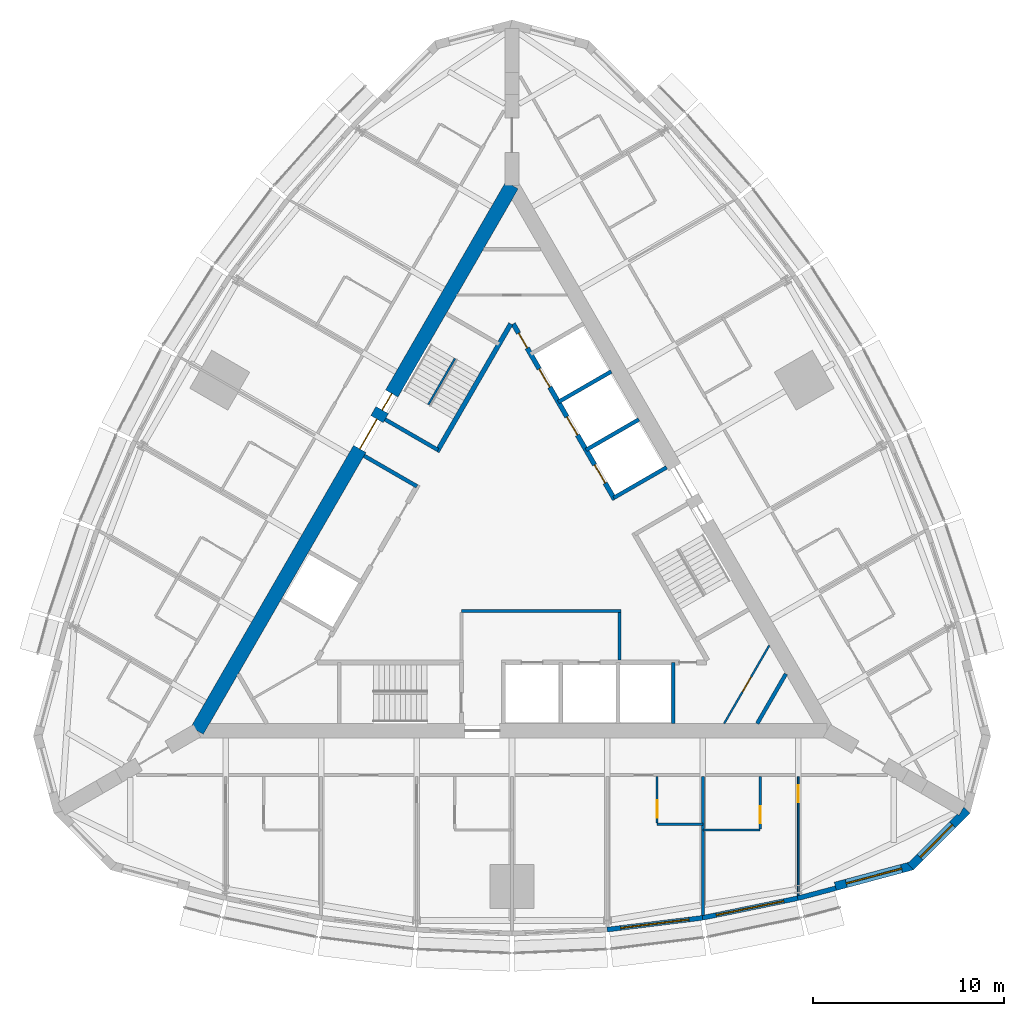
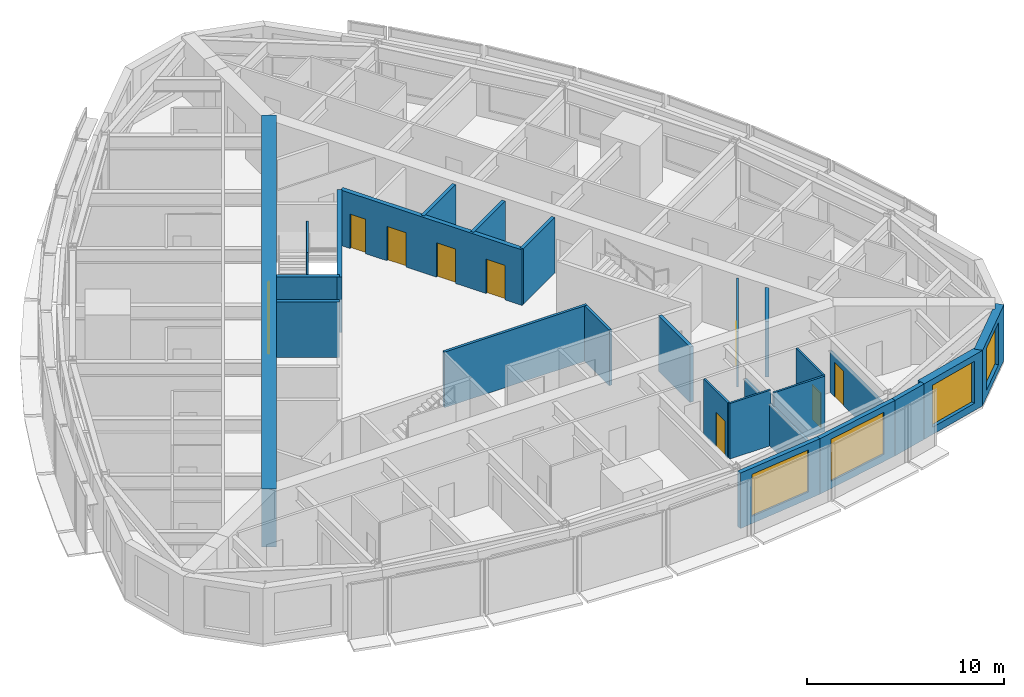
# One storey, part 11 of 15: 25 walls, 10 doors, 4 windows, 14 openings.
"""IFC4 building model written with IfcOpenShell, lengths in metres."""

from ifc_helpers import new_model, si_unit, direction, frame, frame_2d, origin, place, context, subcontext, project, spatial, polyline, rectangle, outline, extrude, material, layer, layer_set, type_object, element, fill, save


model = new_model("IFC4")

# Units and contexts
model_context = context("Model", 3, precision=1e-05, world=origin(), true_north=direction((0.0, 1.0)))
body_context = subcontext(model_context, "Body", "Model", "MODEL_VIEW")
ifc_project = project(units=[si_unit("LENGTHUNIT", "METRE"), si_unit("AREAUNIT", "SQUARE_METRE"), si_unit("VOLUMEUNIT", "CUBIC_METRE"), si_unit("PLANEANGLEUNIT", "RADIAN"), si_unit("MASSUNIT", "GRAM", prefix="KILO")], contexts=[model_context])

# Site, building, storey
site_placement = place(None, origin())
site = spatial("IfcSite", under=ifc_project, at=site_placement, CompositionType="ELEMENT")
building_placement = place(site_placement, origin())
building = spatial("IfcBuilding", under=site, at=building_placement, Name="Trikona Tower", CompositionType="ELEMENT")
storey_placement = place(building_placement, frame((0.0, 0.0, 215.300048828125)))
storey = spatial("IfcBuildingStorey", under=building, at=storey_placement, Name="L57", CompositionType="ELEMENT", Elevation=215.300048828125)

# Wall
ifc_material_1 = material(Name="Metal stud and cement board", Category="gypsum")
ifc_layer_1 = layer(ifc_material_1, 0.1201171875)
ifc_layer_set_1 = layer_set([ifc_layer_1], Name="Bathroom wall 120")
wall_type_1 = type_object("IfcWallType", Name="Bathroom wall 120", PredefinedType="PLUMBINGWALL", material=ifc_layer_set_1)
wall_1_placement = place(storey_placement, frame((7.60009765625, -14.42626953125, 0.0), z_axis=(0.0, 0.0, 1.0), x_axis=(1.0, 0.0, 0.0)))
element("IfcWall", 1, at=wall_1_placement, inside=storey, type_object=wall_type_1, Name="Bathroom wall 5703", PredefinedType="PLUMBINGWALL", context=body_context, shape_type="SweptSolid", body=[
    extrude(rectangle(XDim=2.39990234375, YDim=0.1201171875, at=frame_2d((1.199951171875, 0.0))), origin(), (0.0, 0.0, 1.0), 3.43505859375),
])

# Wall, opening, door
wall_2_placement = place(storey_placement, frame((7.60009765625, -11.92626953125, 0.0), z_axis=(0.0, 0.0, 1.0), x_axis=(0.0, -1.0, 0.0)))
wall_2 = element("IfcWall", 2, at=wall_2_placement, inside=storey, type_object=wall_type_1, Name="Bathroom wall 5703", PredefinedType="PLUMBINGWALL", context=body_context, shape_type="SweptSolid", body=[
    extrude(rectangle(XDim=2.43994140625, YDim=0.1201171875, at=frame_2d((1.219970703125, 0.0))), origin(), (0.0, 0.0, 1.0), 3.43505859375),
])
opening_1_placement = place(wall_2_placement, frame((1.25, 0.0, 0.0)))
opening_1 = element("IfcOpeningElement", 3, at=opening_1_placement, cuts=wall_2, Name="Opening D2", PredefinedType="OPENING", context=body_context, shape_type="SweptSolid", body=[
    extrude(rectangle(XDim=0.89990234375, YDim=2.1298828125, at=frame_2d((0.449951171875, 1.06494140625))), frame((0.0, 0.070068359375, 0.0), z_axis=(0.0, -1.0, 0.0), x_axis=(1.0, 0.0, 0.0)), (0.0, 0.0, 1.0), 0.14013671875),
])
ifc_material_2 = material(Name="Steel door frame with solid-core timber leaf", Category="steel")
door_type_1 = type_object("IfcDoorType", Name="Bathroom door 900x2130", OperationType="SLIDING_TO_LEFT", PredefinedType="DOOR", material=ifc_material_2)
door_1_placement = place(opening_1_placement, origin())
door_1 = element("IfcDoor", 4, at=door_1_placement, inside=storey, type_object=door_type_1, Name="Bathroom door 5703", OperationType="SLIDING_TO_LEFT", OverallHeight=2.1298828125, OverallWidth=0.89990234375, PredefinedType="DOOR", context=body_context, shape_type="SweptSolid", body=[
    extrude(rectangle(XDim=0.89990234375, YDim=2.1298828125, at=frame_2d((0.449951171875, 1.06494140625))), frame((0.0, 0.02490234375, 0.0), z_axis=(0.0, -1.0, 0.0), x_axis=(1.0, 0.0, 0.0)), (0.0, 0.0, 1.0), 0.050048828125),
])
fill(opening_1, door_1)

# Wall
wall_3_placement = place(storey_placement, frame((10.0, -14.726318359375, 0.0), z_axis=(0.0, 0.0, 1.0), x_axis=(1.0, 0.0, 0.0)))
element("IfcWall", 5, at=wall_3_placement, inside=storey, type_object=wall_type_1, Name="Bathroom wall 5704.1", PredefinedType="PLUMBINGWALL", context=body_context, shape_type="SweptSolid", body=[
    extrude(rectangle(XDim=3.0, YDim=0.1201171875, at=frame_2d((1.5, 0.0))), origin(), (0.0, 0.0, 1.0), 3.43505859375),
])

# Wall, opening, door
wall_4_placement = place(storey_placement, frame((13.0, -11.92626953125, 0.0), z_axis=(0.0, 0.0, 1.0), x_axis=(0.0, -1.0, 0.0)))
wall_4 = element("IfcWall", 6, at=wall_4_placement, inside=storey, type_object=wall_type_1, Name="Bathroom wall 5704.1", PredefinedType="PLUMBINGWALL", context=body_context, shape_type="SweptSolid", body=[
    extrude(rectangle(XDim=2.739990234375, YDim=0.1201171875, at=frame_2d((1.3701171875, 0.0))), origin(), (0.0, 0.0, 1.0), 3.43505859375),
])
opening_2_placement = place(wall_4_placement, frame((1.550048828125, 0.0, 0.0)))
opening_2 = element("IfcOpeningElement", 7, at=opening_2_placement, cuts=wall_4, Name="Opening D2", PredefinedType="OPENING", context=body_context, shape_type="SweptSolid", body=[
    extrude(rectangle(XDim=0.89990234375, YDim=2.1298828125, at=frame_2d((0.449951171875, 1.06494140625))), frame((0.0, 0.070068359375, 0.0), z_axis=(0.0, -1.0, 0.0), x_axis=(1.0, 0.0, 0.0)), (0.0, 0.0, 1.0), 0.14013671875),
])
door_2_placement = place(opening_2_placement, origin())
door_2 = element("IfcDoor", 8, at=door_2_placement, inside=storey, type_object=door_type_1, Name="Bathroom door 5704.1", OperationType="SLIDING_TO_LEFT", OverallHeight=2.1298828125, OverallWidth=0.89990234375, PredefinedType="DOOR", context=body_context, shape_type="SweptSolid", body=[
    extrude(rectangle(XDim=0.89990234375, YDim=2.1298828125, at=frame_2d((0.449951171875, 1.06494140625))), frame((0.0, 0.02490234375, 0.0), z_axis=(0.0, -1.0, 0.0), x_axis=(1.0, 0.0, 0.0)), (0.0, 0.0, 1.0), 0.050048828125),
])
fill(opening_2, door_2)

# Wall, opening, window
ifc_material_3 = material(Name="Brick-faced precast concrete", Category="masonry")
ifc_layer_2 = layer(ifc_material_3, 0.449951171875)
ifc_layer_set_2 = layer_set([ifc_layer_2], Name="Brick-faced corner wall 450")
wall_type_2 = type_object("IfcWallType", Name="Brick-faced corner wall 450", PredefinedType="SOLIDWALL", material=ifc_layer_set_2)
wall_5_placement = place(storey_placement, frame((16.94189453125, -17.6806640625, 0.0), z_axis=(0.0, 0.0, 1.0), x_axis=(0.965920442324, 0.258839137498, 0.0)))
wall_5 = element("IfcWall", 9, at=wall_5_placement, inside=storey, type_object=wall_type_2, Name="External wall L57-08", PredefinedType="SOLIDWALL", context=body_context, shape_type="SweptSolid", body=[
    extrude(rectangle(XDim=4.18408203125, YDim=0.449951171875, at=frame_2d((2.092041015625, 0.0))), origin(), (0.0, 0.0, 1.0), 3.43505859375),
])
opening_3_placement = place(wall_5_placement, frame((0.592041015625, 0.0, 0.449951171875)))
opening_3 = element("IfcOpeningElement", 10, at=opening_3_placement, cuts=wall_5, Name="Opening W3026", PredefinedType="OPENING", context=body_context, shape_type="SweptSolid", body=[
    extrude(rectangle(XDim=3.0, YDim=2.60009765625, at=frame_2d((1.5, 1.300048828125))), frame((0.0, 0.23486328125, 0.0), z_axis=(0.0, -1.0, 0.0), x_axis=(1.0, 0.0, 0.0)), (0.0, 0.0, 1.0), 0.469970703125),
])
ifc_material_4 = material(Name="Aluminium-framed double glazing", Category="aluminium")
window_type_1 = type_object("IfcWindowType", Name="Window 3000x2600", PartitioningType="SINGLE_PANEL", PredefinedType="WINDOW", material=ifc_material_4)
window_1_placement = place(opening_3_placement, origin())
window_1 = element("IfcWindow", 11, at=window_1_placement, inside=storey, type_object=window_type_1, Name="Window 5704", OverallHeight=2.60009765625, OverallWidth=3.0, PartitioningType="SINGLE_PANEL", PredefinedType="WINDOW", context=body_context, shape_type="SweptSolid", body=[
    extrude(rectangle(XDim=3.0, YDim=2.60009765625, at=frame_2d((1.5, 1.300048828125))), frame((0.0, 0.030029296875, 0.0), z_axis=(0.0, -1.0, 0.0), x_axis=(1.0, 0.0, 0.0)), (0.0, 0.0, 1.0), 0.06005859375),
])
fill(opening_3, window_1)

wall_6_placement = place(storey_placement, frame((20.88232421875, -16.656005859375, 0.0), z_axis=(0.0, 0.0, 1.0), x_axis=(0.707077605902, 0.707135955267, 0.0)))
wall_6 = element("IfcWall", 12, at=wall_6_placement, inside=storey, type_object=wall_type_2, Name="External wall L57-09", PredefinedType="SOLIDWALL", context=body_context, shape_type="SweptSolid", body=[
    extrude(outline(polyline([(4.18408203125, 0.22509765625), (4.125244140625, 0.22509765625), (3.705322265625, 0.112548828125), (3.67529296875, 0.22509765625), (0.0, 0.22509765625), (0.0, -0.22509765625), (4.18408203125, -0.22509765625), (4.18408203125, 0.22509765625)])), origin(), (0.0, 0.0, 1.0), 3.43505859375),
])
opening_4_placement = place(wall_6_placement, frame((0.712646484375, 0.0, 0.449951171875)))
opening_4 = element("IfcOpeningElement", 13, at=opening_4_placement, cuts=wall_6, Name="Opening W2426", PredefinedType="OPENING", context=body_context, shape_type="SweptSolid", body=[
    extrude(rectangle(XDim=2.39990234375, YDim=2.60009765625, at=frame_2d((1.199951171875, 1.300048828125))), frame((0.0, 0.23486328125, 0.0), z_axis=(0.0, -1.0, 0.0), x_axis=(1.0, 0.0, 0.0)), (0.0, 0.0, 1.0), 0.469970703125),
])
ifc_material_5 = material(Name="Aluminium-framed double glazing", Category="aluminium")
window_type_2 = type_object("IfcWindowType", Name="Window 2400x2600", PartitioningType="SINGLE_PANEL", PredefinedType="WINDOW", material=ifc_material_5)
window_2_placement = place(opening_4_placement, origin())
window_2 = element("IfcWindow", 14, at=window_2_placement, inside=storey, type_object=window_type_2, Name="Window 5704", OverallHeight=2.60009765625, OverallWidth=2.39990234375, PartitioningType="SINGLE_PANEL", PredefinedType="WINDOW", context=body_context, shape_type="SweptSolid", body=[
    extrude(rectangle(XDim=2.39990234375, YDim=2.60009765625, at=frame_2d((1.199951171875, 1.300048828125))), frame((0.0, 0.030029296875, 0.0), z_axis=(0.0, -1.0, 0.0), x_axis=(1.0, 0.0, 0.0)), (0.0, 0.0, 1.0), 0.06005859375),
])
fill(opening_4, window_2)

# Wall, openings, doors
ifc_material_6 = material(Name="Concrete f'c 10000 psi", Category="concrete")
ifc_layer_3 = layer(ifc_material_6, 0.75)
ifc_layer_set_3 = layer_set([ifc_layer_3], Name="Core wall 750")
wall_type_3 = type_object("IfcWallType", Name="Core wall 750", PredefinedType="SHEAR", material=ifc_layer_set_3)
wall_7_placement = place(storey_placement, frame((0.0, 19.052490234375, 0.0), z_axis=(0.0, 0.0, 1.0), x_axis=(-0.499999749417, -0.866025548458, 0.0)))
wall_7 = element("IfcWall", 15, at=wall_7_placement, inside=storey, type_object=wall_type_3, Name="Core wall C", PredefinedType="SHEAR", context=body_context, shape_type="SweptSolid", body=[
    extrude(rectangle(XDim=33.0, YDim=0.75, at=frame_2d((16.5, 0.0))), origin(), (0.0, 0.0, 1.0), 3.599853515625),
])
opening_5_placement = place(wall_7_placement, frame((14.14990234375, 0.0, 0.0)))
opening_5 = element("IfcOpeningElement", 16, at=opening_5_placement, cuts=wall_7, Name="Opening D6", PredefinedType="OPENING", context=body_context, shape_type="SweptSolid", body=[
    extrude(rectangle(XDim=1.800048828125, YDim=2.1298828125, at=frame_2d((0.89990234375, 1.06494140625))), frame((0.0, 0.385009765625, 0.0), z_axis=(0.0, -1.0, 0.0), x_axis=(1.0, 0.0, 0.0)), (0.0, 0.0, 1.0), 0.77001953125),
])
opening_6_placement = place(wall_7_placement, frame((12.60009765625, 0.0, 0.0)))
opening_6 = element("IfcOpeningElement", 17, at=opening_6_placement, cuts=wall_7, Name="Opening D5", PredefinedType="OPENING", context=body_context, shape_type="SweptSolid", body=[
    extrude(rectangle(XDim=1.0, YDim=2.1298828125, at=frame_2d((0.5, 1.06494140625))), frame((0.0, 0.385009765625, 0.0), z_axis=(0.0, -1.0, 0.0), x_axis=(1.0, 0.0, 0.0)), (0.0, 0.0, 1.0), 0.77001953125),
])
ifc_material_7 = material(Name="Hollow metal door and frame", Category="steel")
door_type_2 = type_object("IfcDoorType", Name="Lobby door pair 1800x2130", OperationType="DOUBLE_DOOR_SINGLE_SWING", PredefinedType="DOOR", material=ifc_material_7)
door_3_placement = place(opening_5_placement, origin())
door_3 = element("IfcDoor", 18, at=door_3_placement, inside=storey, type_object=door_type_2, Name="Lift lobby door C", OperationType="DOUBLE_DOOR_SINGLE_SWING", OverallHeight=2.1298828125, OverallWidth=1.800048828125, PredefinedType="DOOR", context=body_context, shape_type="SweptSolid", body=[
    extrude(rectangle(XDim=1.800048828125, YDim=2.1298828125, at=frame_2d((0.89990234375, 1.06494140625))), frame((0.0, 0.02490234375, 0.0), z_axis=(0.0, -1.0, 0.0), x_axis=(1.0, 0.0, 0.0)), (0.0, 0.0, 1.0), 0.050048828125),
])
fill(opening_5, door_3)
ifc_material_8 = material(Name="Hollow metal door and frame", Category="steel")
door_type_3 = type_object("IfcDoorType", Name="Stair door 1000x2130", OperationType="SINGLE_SWING_LEFT", PredefinedType="DOOR", material=ifc_material_8)
door_4_placement = place(opening_6_placement, origin())
door_4 = element("IfcDoor", 19, at=door_4_placement, inside=storey, type_object=door_type_3, Name="Stair C door", OperationType="SINGLE_SWING_RIGHT", OverallHeight=2.1298828125, OverallWidth=1.0, PredefinedType="DOOR", context=body_context, shape_type="SweptSolid", body=[
    extrude(rectangle(XDim=1.0, YDim=2.1298828125, at=frame_2d((0.5, 1.06494140625))), frame((0.0, 0.02490234375, 0.0), z_axis=(0.0, -1.0, 0.0), x_axis=(1.0, 0.0, 0.0)), (0.0, 0.0, 1.0), 0.050048828125),
])
fill(opening_6, door_4)

ifc_material_9 = material(Name="Concrete f'c 8000 psi", Category="concrete")
ifc_layer_4 = layer(ifc_material_9, 0.25)
ifc_layer_set_4 = layer_set([ifc_layer_4], Name="Hub wall 250")
wall_type_4 = type_object("IfcWallType", Name="Hub wall 250", PredefinedType="SOLIDWALL", material=ifc_layer_set_4)
wall_8_placement = place(storey_placement, frame((5.37890625, 2.5859375, 0.0), z_axis=(0.0, 0.0, 1.0), x_axis=(-0.500001375892, 0.866024609411, 0.0)))
wall_8 = element("IfcWall", 20, at=wall_8_placement, inside=storey, type_object=wall_type_4, Name="Lift lobby wall B2", PredefinedType="SOLIDWALL", context=body_context, shape_type="SweptSolid", body=[
    extrude(rectangle(XDim=10.6328125, YDim=0.25, at=frame_2d((5.31640625, 0.0))), origin(), (0.0, 0.0, 1.0), 3.43505859375),
])
opening_7_placement = place(wall_8_placement, frame((9.1640625, 0.0, 0.0)))
opening_7 = element("IfcOpeningElement", 21, at=opening_7_placement, cuts=wall_8, Name="Opening D14", PredefinedType="OPENING", context=body_context, shape_type="SweptSolid", body=[
    extrude(rectangle(XDim=0.89990234375, YDim=2.1298828125, at=frame_2d((0.449951171875, 1.06494140625))), frame((0.0, 0.135009765625, 0.0), z_axis=(0.0, -1.0, 0.0), x_axis=(1.0, 0.0, 0.0)), (0.0, 0.0, 1.0), 0.27001953125),
])
opening_8_placement = place(wall_8_placement, frame((1.0, 0.0, 0.0)))
opening_8 = element("IfcOpeningElement", 22, at=opening_8_placement, cuts=wall_8, Name="Opening LD", PredefinedType="OPENING", context=body_context, shape_type="SweptSolid", body=[
    extrude(rectangle(XDim=1.10009765625, YDim=2.1298828125, at=frame_2d((0.550048828125, 1.06494140625))), frame((0.0, 0.135009765625, 0.0), z_axis=(0.0, -1.0, 0.0), x_axis=(1.0, 0.0, 0.0)), (0.0, 0.0, 1.0), 0.27001953125),
])
opening_9_placement = place(wall_8_placement, frame((3.89990234375, 0.0, 0.0)))
opening_9 = element("IfcOpeningElement", 23, at=opening_9_placement, cuts=wall_8, Name="Opening LD", PredefinedType="OPENING", context=body_context, shape_type="SweptSolid", body=[
    extrude(rectangle(XDim=1.10009765625, YDim=2.1298828125, at=frame_2d((0.550048828125, 1.06494140625))), frame((0.0, 0.135009765625, 0.0), z_axis=(0.0, -1.0, 0.0), x_axis=(1.0, 0.0, 0.0)), (0.0, 0.0, 1.0), 0.27001953125),
])
opening_10_placement = place(wall_8_placement, frame((6.800048828125, 0.0, 0.0)))
opening_10 = element("IfcOpeningElement", 24, at=opening_10_placement, cuts=wall_8, Name="Opening LD", PredefinedType="OPENING", context=body_context, shape_type="SweptSolid", body=[
    extrude(rectangle(XDim=1.10009765625, YDim=2.1298828125, at=frame_2d((0.550048828125, 1.06494140625))), frame((0.0, 0.135009765625, 0.0), z_axis=(0.0, -1.0, 0.0), x_axis=(1.0, 0.0, 0.0)), (0.0, 0.0, 1.0), 0.27001953125),
])
ifc_material_10 = material(Name="Stainless steel lift landing door", Category="steel")
door_type_4 = type_object("IfcDoorType", Name="Lift landing door 1100x2130", OperationType="DOUBLE_DOOR_SLIDING", PredefinedType="USERDEFINED", material=ifc_material_10)
door_5_placement = place(opening_8_placement, origin())
door_5 = element("IfcDoor", 25, at=door_5_placement, inside=storey, type_object=door_type_4, Name="Lift landing door L3-1", ObjectType="LIFT LANDING DOOR", OperationType="DOUBLE_DOOR_SLIDING", OverallHeight=2.1298828125, OverallWidth=1.10009765625, PredefinedType="USERDEFINED", context=body_context, shape_type="SweptSolid", body=[
    extrude(rectangle(XDim=1.10009765625, YDim=2.1298828125, at=frame_2d((0.550048828125, 1.06494140625))), frame((0.0, 0.02490234375, 0.0), z_axis=(0.0, -1.0, 0.0), x_axis=(1.0, 0.0, 0.0)), (0.0, 0.0, 1.0), 0.050048828125),
])
fill(opening_8, door_5)
door_6_placement = place(opening_9_placement, origin())
door_6 = element("IfcDoor", 26, at=door_6_placement, inside=storey, type_object=door_type_4, Name="Lift landing door L3-2", ObjectType="LIFT LANDING DOOR", OperationType="DOUBLE_DOOR_SLIDING", OverallHeight=2.1298828125, OverallWidth=1.10009765625, PredefinedType="USERDEFINED", context=body_context, shape_type="SweptSolid", body=[
    extrude(rectangle(XDim=1.10009765625, YDim=2.1298828125, at=frame_2d((0.550048828125, 1.06494140625))), frame((0.0, 0.02490234375, 0.0), z_axis=(0.0, -1.0, 0.0), x_axis=(1.0, 0.0, 0.0)), (0.0, 0.0, 1.0), 0.050048828125),
])
fill(opening_9, door_6)
door_7_placement = place(opening_10_placement, origin())
door_7 = element("IfcDoor", 27, at=door_7_placement, inside=storey, type_object=door_type_4, Name="Lift landing door L3-3", ObjectType="LIFT LANDING DOOR", OperationType="DOUBLE_DOOR_SLIDING", OverallHeight=2.1298828125, OverallWidth=1.10009765625, PredefinedType="USERDEFINED", context=body_context, shape_type="SweptSolid", body=[
    extrude(rectangle(XDim=1.10009765625, YDim=2.1298828125, at=frame_2d((0.550048828125, 1.06494140625))), frame((0.0, 0.02490234375, 0.0), z_axis=(0.0, -1.0, 0.0), x_axis=(1.0, 0.0, 0.0)), (0.0, 0.0, 1.0), 0.050048828125),
])
fill(opening_10, door_7)
ifc_material_11 = material(Name="Hollow metal door and frame", Category="steel")
door_type_5 = type_object("IfcDoorType", Name="Service room door 900x2130", OperationType="SINGLE_SWING_LEFT", PredefinedType="DOOR", material=ifc_material_11)
door_8_placement = place(opening_7_placement, origin())
door_8 = element("IfcDoor", 28, at=door_8_placement, inside=storey, type_object=door_type_5, Name="Door Linen store LIN", OperationType="SINGLE_SWING_RIGHT", OverallHeight=2.1298828125, OverallWidth=0.89990234375, PredefinedType="DOOR", context=body_context, shape_type="SweptSolid", body=[
    extrude(rectangle(XDim=0.89990234375, YDim=2.1298828125, at=frame_2d((0.449951171875, 1.06494140625))), frame((0.0, 0.02490234375, 0.0), z_axis=(0.0, -1.0, 0.0), x_axis=(1.0, 0.0, 0.0)), (0.0, 0.0, 1.0), 0.050048828125),
])
fill(opening_7, door_8)

# Wall
wall_9_placement = place(storey_placement, frame((-0.0625, 11.794189453125, 0.0), z_axis=(0.0, 0.0, 1.0), x_axis=(-0.500006680225, -0.86602154692, 0.0)))
element("IfcWall", 29, at=wall_9_placement, inside=storey, type_object=wall_type_4, Name="Lift lobby wall C1", PredefinedType="SOLIDWALL", context=body_context, shape_type="SweptSolid", body=[
    extrude(rectangle(XDim=7.73291015625, YDim=0.25, at=frame_2d((3.866455078125, 0.0))), origin(), (0.0, 0.0, 1.0), 3.43505859375),
])

# Wall, opening, window
ifc_material_12 = material(Name="Insulated precast concrete spandrel panel", Category="concrete")
ifc_layer_5 = layer(ifc_material_12, 0.25)
ifc_layer_set_5 = layer_set([ifc_layer_5], Name="Inner skin wall 250")
wall_type_5 = type_object("IfcWallType", Name="Inner skin wall 250", PredefinedType="STANDARD", material=ifc_layer_set_5)
wall_10_placement = place(storey_placement, frame((4.984619140625, -19.947998046875, 0.0), z_axis=(0.0, 0.0, 1.0), x_axis=(0.992449874964, 0.12265090984, 0.0)))
wall_10 = element("IfcWall", 30, at=wall_10_placement, inside=storey, type_object=wall_type_5, Name="External wall L57-05", PredefinedType="STANDARD", context=body_context, shape_type="SweptSolid", body=[
    extrude(rectangle(XDim=5.0380859375, YDim=0.25, at=frame_2d((2.51904296875, 0.0))), origin(), (0.0, 0.0, 1.0), 3.43505859375),
])
opening_11_placement = place(wall_10_placement, frame((0.718994140625, 0.0, 0.449951171875)))
opening_11 = element("IfcOpeningElement", 31, at=opening_11_placement, cuts=wall_10, Name="Opening W3626", PredefinedType="OPENING", context=body_context, shape_type="SweptSolid", body=[
    extrude(rectangle(XDim=3.60009765625, YDim=2.60009765625, at=frame_2d((1.800048828125, 1.300048828125))), frame((0.0, 0.135009765625, 0.0), z_axis=(0.0, -1.0, 0.0), x_axis=(1.0, 0.0, 0.0)), (0.0, 0.0, 1.0), 0.27001953125),
])
ifc_material_13 = material(Name="Aluminium-framed double glazing", Category="aluminium")
window_type_3 = type_object("IfcWindowType", Name="Window 3600x2600", PartitioningType="SINGLE_PANEL", PredefinedType="WINDOW", material=ifc_material_13)
window_3_placement = place(opening_11_placement, origin())
window_3 = element("IfcWindow", 32, at=window_3_placement, inside=storey, type_object=window_type_3, Name="Window 5703", OverallHeight=2.60009765625, OverallWidth=3.60009765625, PartitioningType="SINGLE_PANEL", PredefinedType="WINDOW", context=body_context, shape_type="SweptSolid", body=[
    extrude(rectangle(XDim=3.60009765625, YDim=2.60009765625, at=frame_2d((1.800048828125, 1.300048828125))), frame((0.0, 0.030029296875, 0.0), z_axis=(0.0, -1.0, 0.0), x_axis=(1.0, 0.0, 0.0)), (0.0, 0.0, 1.0), 0.06005859375),
])
fill(opening_11, window_3)

wall_11_placement = place(storey_placement, frame((9.974853515625, -19.331787109375, 0.0), z_axis=(0.0, 0.0, 1.0), x_axis=(0.979461488189, 0.201631329795, 0.0)))
wall_11 = element("IfcWall", 33, at=wall_11_placement, inside=storey, type_object=wall_type_5, Name="External wall L57-06", PredefinedType="STANDARD", context=body_context, shape_type="SweptSolid", body=[
    extrude(rectangle(XDim=5.104736328125, YDim=0.25, at=frame_2d((2.55224609375, 0.0))), origin(), (0.0, 0.0, 1.0), 3.43505859375),
])
opening_12_placement = place(wall_11_placement, frame((0.75244140625, 0.0, 0.449951171875)))
opening_12 = element("IfcOpeningElement", 34, at=opening_12_placement, cuts=wall_11, Name="Opening W3626", PredefinedType="OPENING", context=body_context, shape_type="SweptSolid", body=[
    extrude(rectangle(XDim=3.60009765625, YDim=2.60009765625, at=frame_2d((1.800048828125, 1.300048828125))), frame((0.0, 0.135009765625, 0.0), z_axis=(0.0, -1.0, 0.0), x_axis=(1.0, 0.0, 0.0)), (0.0, 0.0, 1.0), 0.27001953125),
])
window_4_placement = place(opening_12_placement, origin())
window_4 = element("IfcWindow", 35, at=window_4_placement, inside=storey, type_object=window_type_3, Name="Window 5704.1", OverallHeight=2.60009765625, OverallWidth=3.60009765625, PartitioningType="SINGLE_PANEL", PredefinedType="WINDOW", context=body_context, shape_type="SweptSolid", body=[
    extrude(rectangle(XDim=3.60009765625, YDim=2.60009765625, at=frame_2d((1.800048828125, 1.300048828125))), frame((0.0, 0.030029296875, 0.0), z_axis=(0.0, -1.0, 0.0), x_axis=(1.0, 0.0, 0.0)), (0.0, 0.0, 1.0), 0.06005859375),
])
fill(opening_12, window_4)

# Walls
wall_12_placement = place(storey_placement, frame((14.968017578125, -18.303955078125, 0.0), z_axis=(0.0, 0.0, 1.0), x_axis=(0.967010286052, 0.254737328772, 0.0)))
element("IfcWall", 36, at=wall_12_placement, inside=storey, type_object=wall_type_5, Name="External wall L57-07", PredefinedType="STANDARD", context=body_context, shape_type="SweptSolid", body=[
    extrude(rectangle(XDim=2.068115234375, YDim=0.25, at=frame_2d((1.0341796875, 0.0))), origin(), (0.0, 0.0, 1.0), 3.43505859375),
])
ifc_material_14 = material(Name="Metal stud and gypsum board, 2-hour shaft wall", Category="gypsum")
ifc_layer_6 = layer(ifc_material_14, 0.14990234375)
ifc_layer_set_6 = layer_set([ifc_layer_6], Name="Lobby wall 150")
wall_type_6 = type_object("IfcWallType", Name="Lobby wall 150", PredefinedType="PARTITIONING", material=ifc_layer_set_6)
wall_13_placement = place(storey_placement, frame((-2.64990234375, -3.251220703125, 0.0), z_axis=(0.0, 0.0, 1.0), x_axis=(1.0, 0.0, 0.0)))
element("IfcWall", 37, at=wall_13_placement, inside=storey, type_object=wall_type_6, Name="Fire service lift lobby wall 1", PredefinedType="PARTITIONING", context=body_context, shape_type="SweptSolid", body=[
    extrude(rectangle(XDim=8.349853515625, YDim=0.14990234375, at=frame_2d((4.1748046875, 0.0))), origin(), (0.0, 0.0, 1.0), 3.43505859375),
])
wall_14_placement = place(storey_placement, frame((5.625, -5.826416015625, 0.0), z_axis=(0.0, 0.0, 1.0), x_axis=(0.0, 1.0, 0.0)))
element("IfcWall", 38, at=wall_14_placement, inside=storey, type_object=wall_type_6, Name="Fire service lift lobby wall 3", PredefinedType="PARTITIONING", context=body_context, shape_type="SweptSolid", body=[
    extrude(rectangle(XDim=2.5, YDim=0.14990234375, at=frame_2d((1.25, 0.0))), origin(), (0.0, 0.0, 1.0), 3.43505859375),
])
ifc_material_15 = material(Name="Metal stud and gypsum board, 1-hour acoustic", Category="gypsum")
ifc_layer_7 = layer(ifc_material_15, 0.14990234375)
ifc_layer_set_7 = layer_set([ifc_layer_7], Name="Party wall 150")
wall_type_7 = type_object("IfcWallType", Name="Party wall 150", PredefinedType="PARTITIONING", material=ifc_layer_set_7)
wall_15_placement = place(storey_placement, frame((10.0, -11.92626953125, 0.0), z_axis=(0.0, 0.0, 1.0), x_axis=(0.0, -1.0, 0.0)))
element("IfcWall", 39, at=wall_15_placement, inside=storey, type_object=wall_type_7, Name="Partition L57 F1 u10", PredefinedType="PARTITIONING", context=body_context, shape_type="SweptSolid", body=[
    extrude(rectangle(XDim=7.27294921875, YDim=0.14990234375, at=frame_2d((3.636474609375, 0.0))), origin(), (0.0, 0.0, 1.0), 2.589111328125),
])
ifc_material_16 = material(Name="Concrete f'c 8000 psi", Category="concrete")
ifc_layer_8 = layer(ifc_material_16, 0.199951171875)
ifc_layer_set_8 = layer_set([ifc_layer_8], Name="Shaft wall 200")
wall_type_8 = type_object("IfcWallType", Name="Shaft wall 200", PredefinedType="SOLIDWALL", material=ifc_layer_set_8)
wall_16_placement = place(storey_placement, frame((8.449951171875, -5.951416015625, 0.0), z_axis=(0.0, 0.0, 1.0), x_axis=(0.0, -1.0, 0.0)))
element("IfcWall", 40, at=wall_16_placement, inside=storey, type_object=wall_type_8, Name="Shaft wall A6", PredefinedType="SOLIDWALL", context=body_context, shape_type="SweptSolid", body=[
    extrude(rectangle(XDim=3.199951171875, YDim=0.199951171875, at=frame_2d((1.60009765625, 0.0))), origin(), (0.0, 0.0, 1.0), 3.43505859375),
])
wall_17_placement = place(storey_placement, frame((5.3291015625, 2.672607421875, 0.0), z_axis=(0.0, 0.0, 1.0), x_axis=(0.866022944154, 0.50000426018, 0.0)))
element("IfcWall", 41, at=wall_17_placement, inside=storey, type_object=wall_type_8, Name="Shaft wall B3", PredefinedType="SOLIDWALL", context=body_context, shape_type="SweptSolid", body=[
    extrude(rectangle(XDim=3.19970703125, YDim=0.199951171875, at=frame_2d((1.599853515625, 0.0))), origin(), (0.0, 0.0, 1.0), 3.43505859375),
])
for number, where, z_axis, x_axis, name in (
    (42, (3.87890625, 5.18408203125, 0.0), (0.0, 0.0, 1.0), (0.866042017984, 0.499971222258, 0.0), "Shaft wall B4"),
    (43, (2.428955078125, 7.695556640625, 0.0), (0.0, 0.0, 1.0), (0.866042017984, 0.499971222258, 0.0), "Shaft wall B5"),
    (44, (-4.97900390625, 3.27880859375, 0.0), (0.0, 0.0, 1.0), (-0.866042017984, 0.499971222258, 0.0), "Shaft wall C3"),
):
    element("IfcWall", number, at=place(storey_placement, frame(where, z_axis=z_axis, x_axis=x_axis)), inside=storey, type_object=wall_type_8, Name=name, PredefinedType="SOLIDWALL", context=body_context, shape_type="SweptSolid", body=[
        extrude(rectangle(XDim=3.199951171875, YDim=0.199951171875, at=frame_2d((1.60009765625, 0.0))), origin(), (0.0, 0.0, 1.0), 3.43505859375),
    ])
wall_18_placement = place(storey_placement, frame((14.349365234375, -6.55126953125, 0.0), z_axis=(0.0, 0.0, 1.0), x_axis=(-0.499952404951, -0.866052881055, 0.0)))
element("IfcWall", 45, at=wall_18_placement, inside=storey, type_object=wall_type_8, Name="Riser wall L57-RS1", PredefinedType="SOLIDWALL", context=body_context, shape_type="SweptSolid", body=[
    extrude(rectangle(XDim=3.002197265625, YDim=0.199951171875, at=frame_2d((1.5009765625, 0.0))), origin(), (0.0, 0.0, 1.0), 3.43505859375),
])
ifc_material_17 = material(Name="Concrete f'c 8000 psi", Category="concrete")
ifc_layer_9 = layer(ifc_material_17, 0.199951171875)
ifc_layer_set_9 = layer_set([ifc_layer_9], Name="Shaft wall 200 load-bearing")
wall_type_9 = type_object("IfcWallType", Name="Shaft wall 200 load-bearing", PredefinedType="SOLIDWALL", material=ifc_layer_set_9)
wall_19_placement = place(storey_placement, frame((-3.87890625, 5.18408203125, 0.0), z_axis=(0.0, 0.0, 1.0), x_axis=(-0.866042017984, 0.499971222258, 0.0)))
element("IfcWall", 46, at=wall_19_placement, inside=storey, type_object=wall_type_9, Name="Shaft wall C2", PredefinedType="SOLIDWALL", context=body_context, shape_type="SweptSolid", body=[
    extrude(rectangle(XDim=3.199951171875, YDim=0.199951171875, at=frame_2d((1.60009765625, 0.0))), origin(), (0.0, 0.0, 1.0), 3.43505859375),
])
ifc_material_18 = material(Name="Concrete f'c 5000 psi", Category="concrete")
ifc_layer_10 = layer(ifc_material_18, 0.10009765625)
ifc_layer_set_10 = layer_set([ifc_layer_10], Name="Stair spine wall 100")
wall_type_10 = type_object("IfcWallType", Name="Stair spine wall 100", PredefinedType="SOLIDWALL", material=ifc_layer_set_10)
wall_20_placement = place(storey_placement, frame((-2.98779296875, 9.9775390625, 0.0), z_axis=(0.0, 0.0, 1.0), x_axis=(-0.499992232847, -0.866029888106, 0.0)))
element("IfcWall", 47, at=wall_20_placement, inside=storey, type_object=wall_type_10, Name="Stair C spine wall L57", PredefinedType="SOLIDWALL", context=body_context, shape_type="SweptSolid", body=[
    extrude(rectangle(XDim=2.7939453125, YDim=0.10009765625, at=frame_2d((1.39697265625, 0.0))), origin(), (0.0, 0.0, 1.0), 3.599853515625),
])

# Wall, opening, door
ifc_material_19 = material(Name="Metal stud and gypsum board, acoustic", Category="gypsum")
ifc_layer_11 = layer(ifc_material_19, 0.10009765625)
ifc_layer_set_11 = layer_set([ifc_layer_11], Name="Suite partition 100")
wall_type_11 = type_object("IfcWallType", Name="Suite partition 100", PredefinedType="PARTITIONING", material=ifc_layer_set_11)
wall_21_placement = place(storey_placement, frame((15.0, -11.92626953125, 0.0), z_axis=(0.0, 0.0, 1.0), x_axis=(0.0, -1.0, 0.0)))
wall_21 = element("IfcWall", 48, at=wall_21_placement, inside=storey, type_object=wall_type_11, Name="Suite partition L57 F1 u15", PredefinedType="PARTITIONING", context=body_context, shape_type="SweptSolid", body=[
    extrude(rectangle(XDim=6.240234375, YDim=0.10009765625, at=frame_2d((3.1201171875, 0.0))), origin(), (0.0, 0.0, 1.0), 2.589111328125),
])
opening_13_placement = place(wall_21_placement, frame((0.449951171875, 0.0, 0.0)))
opening_13 = element("IfcOpeningElement", 49, at=opening_13_placement, cuts=wall_21, Name="Opening D13", PredefinedType="OPENING", context=body_context, shape_type="SweptSolid", body=[
    extrude(rectangle(XDim=0.89990234375, YDim=2.1298828125, at=frame_2d((0.449951171875, 1.06494140625))), frame((0.0, 0.06005859375, 0.0), z_axis=(0.0, -1.0, 0.0), x_axis=(1.0, 0.0, 0.0)), (0.0, 0.0, 1.0), 0.1201171875),
])
ifc_material_20 = material(Name="Steel door frame with solid-core timber leaf", Category="steel")
door_type_6 = type_object("IfcDoorType", Name="Suite door 900x2130", OperationType="SINGLE_SWING_LEFT", PredefinedType="DOOR", material=ifc_material_20)
door_9_placement = place(opening_13_placement, origin())
door_9 = element("IfcDoor", 50, at=door_9_placement, inside=storey, type_object=door_type_6, Name="Suite door 5704", OperationType="SINGLE_SWING_LEFT", OverallHeight=2.1298828125, OverallWidth=0.89990234375, PredefinedType="DOOR", context=body_context, shape_type="SweptSolid", body=[
    extrude(rectangle(XDim=0.89990234375, YDim=2.1298828125, at=frame_2d((0.449951171875, 1.06494140625))), frame((0.0, 0.02490234375, 0.0), z_axis=(0.0, -1.0, 0.0), x_axis=(1.0, 0.0, 0.0)), (0.0, 0.0, 1.0), 0.050048828125),
])
fill(opening_13, door_9)

wall_22_placement = place(storey_placement, frame((13.4833984375, -5.05126953125, 0.0), z_axis=(0.0, 0.0, 1.0), x_axis=(-0.499999210213, -0.866025859768, 0.0)))
wall_22 = element("IfcWall", 51, at=wall_22_placement, inside=storey, type_object=wall_type_11, Name="Store partition L57-RS1", PredefinedType="PARTITIONING", context=body_context, shape_type="SweptSolid", body=[
    extrude(rectangle(XDim=4.734375, YDim=0.10009765625, at=frame_2d((2.3671875, 0.0))), origin(), (0.0, 0.0, 1.0), 3.43505859375),
])
opening_14_placement = place(wall_22_placement, frame((1.917236328125, 0.0, 0.0)))
opening_14 = element("IfcOpeningElement", 52, at=opening_14_placement, cuts=wall_22, Name="Opening D15", PredefinedType="OPENING", context=body_context, shape_type="SweptSolid", body=[
    extrude(rectangle(XDim=0.89990234375, YDim=2.1298828125, at=frame_2d((0.449951171875, 1.06494140625))), frame((0.0, 0.06005859375, 0.0), z_axis=(0.0, -1.0, 0.0), x_axis=(1.0, 0.0, 0.0)), (0.0, 0.0, 1.0), 0.1201171875),
])
ifc_material_21 = material(Name="Steel door frame with solid-core timber leaf", Category="steel")
door_type_7 = type_object("IfcDoorType", Name="Store door 900x2130", OperationType="SINGLE_SWING_LEFT", PredefinedType="DOOR", material=ifc_material_21)
door_10_placement = place(opening_14_placement, origin())
door_10 = element("IfcDoor", 53, at=door_10_placement, inside=storey, type_object=door_type_7, Name="Door Amenity store AMS", OperationType="SINGLE_SWING_RIGHT", OverallHeight=2.1298828125, OverallWidth=0.89990234375, PredefinedType="DOOR", context=body_context, shape_type="SweptSolid", body=[
    extrude(rectangle(XDim=0.89990234375, YDim=2.1298828125, at=frame_2d((0.449951171875, 1.06494140625))), frame((0.0, 0.02490234375, 0.0), z_axis=(0.0, -1.0, 0.0), x_axis=(1.0, 0.0, 0.0)), (0.0, 0.0, 1.0), 0.050048828125),
])
fill(opening_14, door_10)

save(model, "model.ifc")
